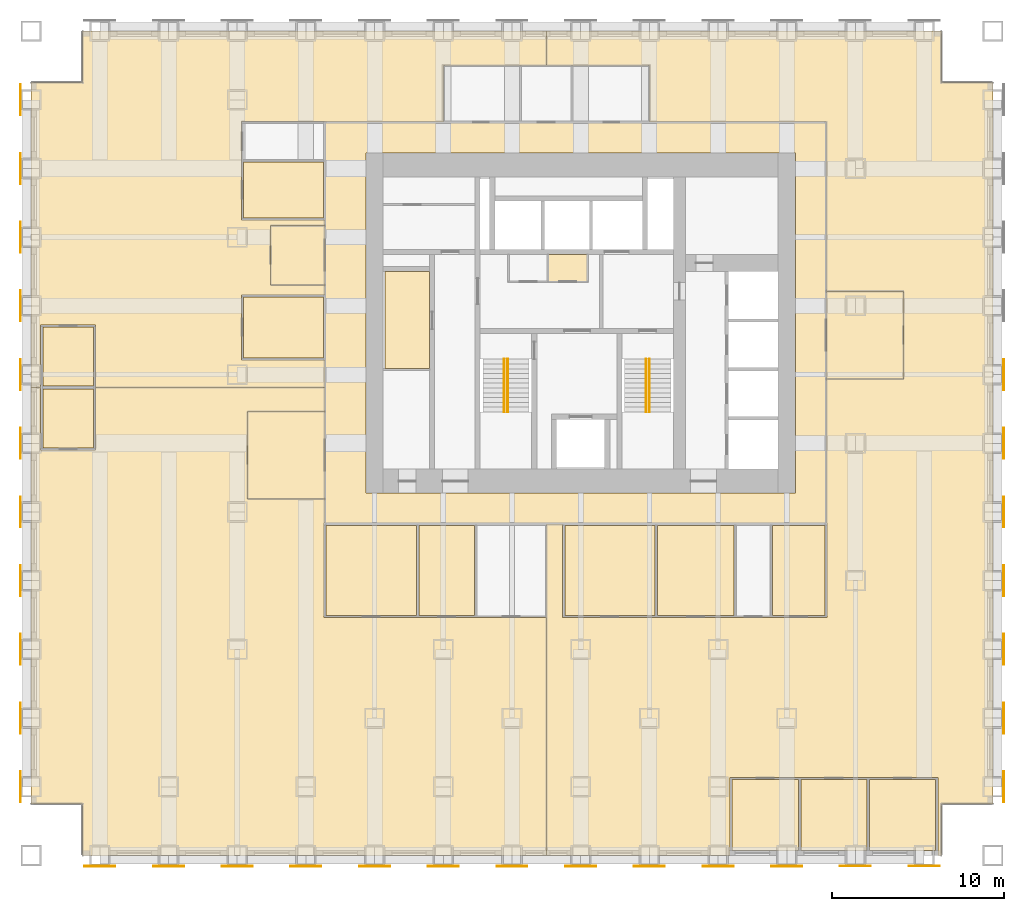
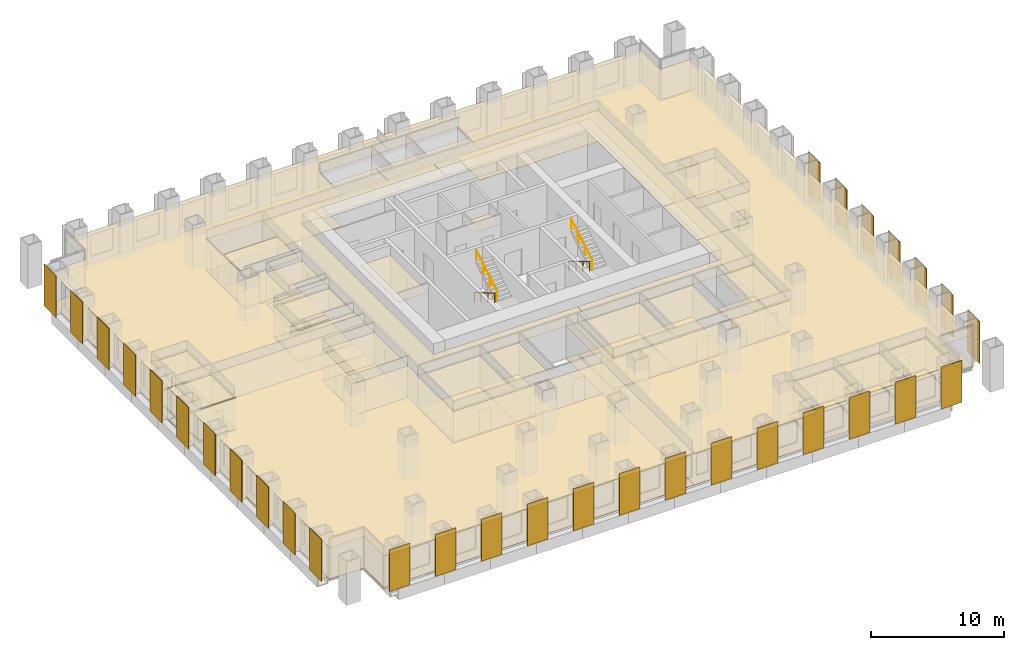
# One storey, part 14 of 15: 40 coverings, 31 shading devices, 4 railings.
"""IFC4 building model written with IfcOpenShell, lengths in metres."""

from ifc_helpers import new_model, si_unit, direction, frame, origin, origin_2d, place, context, subcontext, project, spatial, polyline, rectangle, circle, outline, extrude, material, layer, layer_set, type_object, element, save


model = new_model("IFC4")

# Units and contexts
model_context = context("Model", 3, precision=1e-05, world=origin(), true_north=direction((0.0, 1.0)))
body_context = subcontext(model_context, "Body", "Model", "MODEL_VIEW")
ifc_project = project(units=[si_unit("LENGTHUNIT", "METRE"), si_unit("AREAUNIT", "SQUARE_METRE"), si_unit("VOLUMEUNIT", "CUBIC_METRE"), si_unit("PLANEANGLEUNIT", "RADIAN"), si_unit("MASSUNIT", "GRAM", prefix="KILO")], contexts=[model_context])

# Site, building, storey
site_placement = place(None, origin())
site = spatial("IfcSite", under=ifc_project, at=site_placement, CompositionType="ELEMENT")
building_placement = place(site_placement, origin())
building = spatial("IfcBuilding", under=site, at=building_placement, Name="Rimbunsela Tower", CompositionType="ELEMENT")
storey_placement = place(building_placement, frame((0.0, 0.0, 27.0)))
storey = spatial("IfcBuildingStorey", under=building, at=storey_placement, Name="L06", CompositionType="ELEMENT", Elevation=27.0)

# Coverings
ifc_material_1 = material(Name="Nylon carpet tile", Category="textile")
ifc_layer_1 = layer(ifc_material_1, 0.010009765625)
ifc_layer_set_1 = layer_set([ifc_layer_1], Name="Carpet tile 10")
covering_type_1 = type_object("IfcCoveringType", Name="Carpet tile 10", PredefinedType="FLOORING", material=ifc_layer_set_1)
covering_1_placement = place(storey_placement, origin())
element("IfcCovering", 1, at=covering_1_placement, inside=storey, type_object=covering_type_1, Name="Floor finish Open office", PredefinedType="FLOORING", context=body_context, shape_type="SweptSolid", body=[
    extrude(outline(polyline([(20.550048828125, 9.85009765625), (23.85009765625, 9.85009765625), (23.949951171875, 9.85009765625), (27.9990234375, 9.85009765625), (27.9990234375, -4.0), (15.10009765625, -4.0), (1.0, -4.0), (1.0, -1.0), (-2.0, -1.0), (-2.0, 23.2490234375), (-1.449951171875, 23.2490234375), (-1.449951171875, 19.60009765625), (1.75, 19.60009765625), (1.75, 23.2490234375), (15.10009765625, 23.2490234375), (15.10009765625, 21.85009765625), (10.60009765625, 21.85009765625), (10.60009765625, 16.75), (15.10009765625, 16.75), (15.10009765625, 15.35009765625), (15.050048828125, 15.35009765625), (15.050048828125, 9.85009765625), (15.10009765625, 9.85009765625), (20.449951171875, 9.85009765625), (20.550048828125, 9.85009765625)])), origin(), (0.0, 0.0, 1.0), 0.010009765625),
])
covering_2_placement = place(storey_placement, origin())
element("IfcCovering", 2, at=covering_2_placement, inside=storey, type_object=covering_type_1, Name="Floor finish Open office", PredefinedType="FLOORING", context=body_context, shape_type="SweptSolid", body=[
    extrude(outline(polyline([(10.25, 36.5), (10.25, 36.39990234375), (10.25, 33.0), (15.10009765625, 33.0), (15.10009765625, 32.675048828125), (11.949951171875, 32.675048828125), (11.949951171875, 29.22509765625), (15.10009765625, 29.22509765625), (15.10009765625, 28.64990234375), (10.25, 28.64990234375), (10.25, 24.85009765625), (15.10009765625, 24.85009765625), (15.10009765625, 23.2509765625), (1.75, 23.2509765625), (1.75, 26.89990234375), (-1.449951171875, 26.89990234375), (-1.449951171875, 23.2509765625), (-2.0, 23.2509765625), (-2.0, 41.0), (1.0, 41.0), (1.0, 44.0), (15.10009765625, 44.0), (27.9990234375, 44.0), (27.9990234375, 42.0), (22.0, 42.0), (22.0, 38.699951171875), (15.14990234375, 38.699951171875), (15.14990234375, 38.75), (15.10009765625, 38.75), (10.25, 38.75), (10.25, 36.5)])), origin(), (0.0, 0.0, 1.0), 0.010009765625),
])
covering_3_placement = place(storey_placement, origin())
element("IfcCovering", 3, at=covering_3_placement, inside=storey, type_object=covering_type_1, Name="Floor finish Open office", PredefinedType="FLOORING", context=body_context, shape_type="SweptSolid", body=[
    extrude(outline(polyline([(42.699951171875, 0.550048828125), (38.699951171875, 0.550048828125), (38.699951171875, -4.0), (28.0009765625, -4.0), (28.0009765625, 15.300048828125), (28.948974609375, 15.300048828125), (28.948974609375, 9.85009765625), (34.34912109375, 9.85009765625), (34.448974609375, 9.85009765625), (38.948974609375, 9.85009765625), (39.049072265625, 9.85009765625), (41.049072265625, 9.85009765625), (41.14892578125, 9.85009765625), (44.300048828125, 9.85009765625), (44.35009765625, 9.85009765625), (44.35009765625, 15.35009765625), (44.300048828125, 15.35009765625), (44.300048828125, 23.75), (48.800048828125, 23.75), (48.800048828125, 28.85009765625), (44.300048828125, 28.85009765625), (44.300048828125, 38.699951171875), (34.0, 38.699951171875), (34.0, 42.0), (28.0009765625, 42.0), (28.0009765625, 44.0), (44.300048828125, 44.0), (51.0, 44.0), (51.0, 41.0), (54.0, 41.0), (54.0, -1.0), (51.0, -1.0), (51.0, -4.0), (50.800048828125, -4.0), (50.800048828125, 0.550048828125), (46.800048828125, 0.550048828125), (46.699951171875, 0.550048828125), (44.300048828125, 0.550048828125), (42.800048828125, 0.550048828125), (42.699951171875, 0.550048828125)])), origin(), (0.0, 0.0, 1.0), 0.010009765625),
])
covering_4_placement = place(storey_placement, origin())
element("IfcCovering", 4, at=covering_4_placement, inside=storey, type_object=covering_type_1, Name="Floor finish Reception", PredefinedType="FLOORING", context=body_context, shape_type="SweptSolid", body=[
    extrude(outline(polyline([(15.10009765625, 16.75), (15.10009765625, 21.85009765625), (10.60009765625, 21.85009765625), (10.60009765625, 16.75), (15.10009765625, 16.75)])), origin(), (0.0, 0.0, 1.0), 0.010009765625),
])
covering_5_placement = place(storey_placement, origin())
element("IfcCovering", 5, at=covering_5_placement, inside=storey, type_object=covering_type_1, Name="Floor finish Reception", PredefinedType="FLOORING", context=body_context, shape_type="SweptSolid", body=[
    extrude(outline(polyline([(15.10009765625, 29.22509765625), (15.10009765625, 32.675048828125), (11.949951171875, 32.675048828125), (11.949951171875, 29.22509765625), (15.10009765625, 29.22509765625)])), origin(), (0.0, 0.0, 1.0), 0.010009765625),
])
covering_6_placement = place(storey_placement, origin())
element("IfcCovering", 6, at=covering_6_placement, inside=storey, type_object=covering_type_1, Name="Floor finish Reception", PredefinedType="FLOORING", context=body_context, shape_type="SweptSolid", body=[
    extrude(outline(polyline([(48.800048828125, 23.75), (48.800048828125, 28.85009765625), (44.300048828125, 28.85009765625), (44.300048828125, 23.75), (48.800048828125, 23.75)])), origin(), (0.0, 0.0, 1.0), 0.010009765625),
])
covering_7_placement = place(storey_placement, origin())
element("IfcCovering", 7, at=covering_7_placement, inside=storey, type_object=covering_type_1, Name="Floor finish Executive office", PredefinedType="FLOORING", context=body_context, shape_type="SweptSolid", body=[
    extrude(outline(polyline([(42.675048828125, -3.699951171875), (42.675048828125, 0.425048828125), (38.824951171875, 0.425048828125), (38.824951171875, -3.699951171875), (42.675048828125, -3.699951171875)])), origin(), (0.0, 0.0, 1.0), 0.010009765625),
])
covering_8_placement = place(storey_placement, origin())
element("IfcCovering", 8, at=covering_8_placement, inside=storey, type_object=covering_type_1, Name="Floor finish Executive office", PredefinedType="FLOORING", context=body_context, shape_type="SweptSolid", body=[
    extrude(outline(polyline([(46.675048828125, -3.699951171875), (46.675048828125, 0.425048828125), (42.824951171875, 0.425048828125), (42.824951171875, -3.699951171875), (46.675048828125, -3.699951171875)])), origin(), (0.0, 0.0, 1.0), 0.010009765625),
])
covering_9_placement = place(storey_placement, origin())
element("IfcCovering", 9, at=covering_9_placement, inside=storey, type_object=covering_type_1, Name="Floor finish Executive office", PredefinedType="FLOORING", context=body_context, shape_type="SweptSolid", body=[
    extrude(outline(polyline([(50.675048828125, -3.699951171875), (50.675048828125, 0.425048828125), (46.824951171875, 0.425048828125), (46.824951171875, -3.699951171875), (50.675048828125, -3.699951171875)])), origin(), (0.0, 0.0, 1.0), 0.010009765625),
])
covering_10_placement = place(storey_placement, origin())
element("IfcCovering", 10, at=covering_10_placement, inside=storey, type_object=covering_type_1, Name="Floor finish Meeting room", PredefinedType="FLOORING", context=body_context, shape_type="SweptSolid", body=[
    extrude(outline(polyline([(20.425048828125, 9.97509765625), (20.425048828125, 15.22509765625), (15.175048828125, 15.22509765625), (15.175048828125, 9.97509765625), (20.425048828125, 9.97509765625)])), origin(), (0.0, 0.0, 1.0), 0.010009765625),
])
covering_11_placement = place(storey_placement, origin())
element("IfcCovering", 11, at=covering_11_placement, inside=storey, type_object=covering_type_1, Name="Floor finish Pantry", PredefinedType="FLOORING", context=body_context, shape_type="SweptSolid", body=[
    extrude(outline(polyline([(23.824951171875, 9.97509765625), (23.824951171875, 15.22509765625), (20.574951171875, 15.22509765625), (20.574951171875, 9.97509765625), (23.824951171875, 9.97509765625)])), origin(), (0.0, 0.0, 1.0), 0.010009765625),
])
covering_12_placement = place(storey_placement, origin())
element("IfcCovering", 12, at=covering_12_placement, inside=storey, type_object=covering_type_1, Name="Floor finish Pantry", PredefinedType="FLOORING", context=body_context, shape_type="SweptSolid", body=[
    extrude(outline(polyline([(15.02490234375, 33.125), (15.02490234375, 36.375), (10.375, 36.375), (10.375, 33.125), (15.02490234375, 33.125)])), origin(), (0.0, 0.0, 1.0), 0.010009765625),
])
covering_13_placement = place(storey_placement, origin())
element("IfcCovering", 13, at=covering_13_placement, inside=storey, type_object=covering_type_1, Name="Floor finish Meeting room", PredefinedType="FLOORING", context=body_context, shape_type="SweptSolid", body=[
    extrude(outline(polyline([(34.323974609375, 9.97509765625), (34.323974609375, 15.22509765625), (29.073974609375, 15.22509765625), (29.073974609375, 9.97509765625), (34.323974609375, 9.97509765625)])), origin(), (0.0, 0.0, 1.0), 0.010009765625),
])
covering_14_placement = place(storey_placement, origin())
element("IfcCovering", 14, at=covering_14_placement, inside=storey, type_object=covering_type_1, Name="Floor finish Pantry", PredefinedType="FLOORING", context=body_context, shape_type="SweptSolid", body=[
    extrude(outline(polyline([(38.924072265625, 9.97509765625), (38.924072265625, 15.22509765625), (34.47412109375, 15.22509765625), (34.47412109375, 9.97509765625), (38.924072265625, 9.97509765625)])), origin(), (0.0, 0.0, 1.0), 0.010009765625),
])
covering_15_placement = place(storey_placement, origin())
element("IfcCovering", 15, at=covering_15_placement, inside=storey, type_object=covering_type_1, Name="Floor finish Office", PredefinedType="FLOORING", context=body_context, shape_type="SweptSolid", body=[
    extrude(outline(polyline([(44.22509765625, 9.97509765625), (44.22509765625, 15.22509765625), (41.174072265625, 15.22509765625), (41.174072265625, 9.97509765625), (44.22509765625, 9.97509765625)])), origin(), (0.0, 0.0, 1.0), 0.010009765625),
])
covering_16_placement = place(storey_placement, origin())
element("IfcCovering", 16, at=covering_16_placement, inside=storey, type_object=covering_type_1, Name="Floor finish Office", PredefinedType="FLOORING", context=body_context, shape_type="SweptSolid", body=[
    extrude(outline(polyline([(1.625, 19.72509765625), (1.625, 23.175048828125), (-1.324951171875, 23.175048828125), (-1.324951171875, 19.72509765625), (1.625, 19.72509765625)])), origin(), (0.0, 0.0, 1.0), 0.010009765625),
])
covering_17_placement = place(storey_placement, origin())
element("IfcCovering", 17, at=covering_17_placement, inside=storey, type_object=covering_type_1, Name="Floor finish Meeting room", PredefinedType="FLOORING", context=body_context, shape_type="SweptSolid", body=[
    extrude(outline(polyline([(15.02490234375, 24.97509765625), (15.02490234375, 28.52490234375), (10.375, 28.52490234375), (10.375, 24.97509765625), (15.02490234375, 24.97509765625)])), origin(), (0.0, 0.0, 1.0), 0.010009765625),
])
covering_18_placement = place(storey_placement, origin())
element("IfcCovering", 18, at=covering_18_placement, inside=storey, type_object=covering_type_1, Name="Floor finish Office", PredefinedType="FLOORING", context=body_context, shape_type="SweptSolid", body=[
    extrude(outline(polyline([(1.625, 23.324951171875), (1.625, 26.77490234375), (-1.324951171875, 26.77490234375), (-1.324951171875, 23.324951171875), (1.625, 23.324951171875)])), origin(), (0.0, 0.0, 1.0), 0.010009765625),
])
ifc_material_2 = material(Name="Mineral fibre ceiling tile", Category="gypsum")
ifc_layer_2 = layer(ifc_material_2, 0.02001953125)
ifc_layer_set_2 = layer_set([ifc_layer_2], Name="Ceiling 600 grid")
covering_type_2 = type_object("IfcCoveringType", Name="Ceiling 600 grid", PredefinedType="CEILING", material=ifc_layer_set_2)
covering_19_placement = place(storey_placement, frame((0.0, 0.0, 2.89990234375)))
element("IfcCovering", 19, at=covering_19_placement, inside=storey, type_object=covering_type_2, Name="Ceiling IT room", PredefinedType="CEILING", context=body_context, shape_type="SweptSolid", body=[
    extrude(outline(polyline([(30.39990234375, 29.39990234375), (30.39990234375, 31.0), (28.10009765625, 31.0), (28.10009765625, 29.39990234375), (30.39990234375, 29.39990234375)])), origin(), (0.0, 0.0, 1.0), 0.02001953125),
])
covering_20_placement = place(storey_placement, frame((0.0, 0.0, 2.89990234375)))
element("IfcCovering", 20, at=covering_20_placement, inside=storey, type_object=covering_type_2, Name="Ceiling IT room", PredefinedType="CEILING", context=body_context, shape_type="SweptSolid", body=[
    extrude(outline(polyline([(21.199951171875, 24.35009765625), (21.199951171875, 30.0), (18.60009765625, 30.0), (18.60009765625, 24.35009765625), (21.199951171875, 24.35009765625)])), origin(), (0.0, 0.0, 1.0), 0.02001953125),
])
covering_21_placement = place(storey_placement, frame((0.0, 0.0, 2.89990234375)))
element("IfcCovering", 21, at=covering_21_placement, inside=storey, type_object=covering_type_2, Name="Ceiling Ring corridor", PredefinedType="CEILING", context=body_context, shape_type="SweptSolid", body=[
    extrude(outline(polyline([(15.10009765625, 38.699951171875), (30.0, 38.699951171875), (30.0, 36.89990234375), (17.5, 36.89990234375), (17.5, 17.10009765625), (30.0, 17.10009765625), (30.0, 15.300048828125), (15.10009765625, 15.300048828125), (15.10009765625, 38.699951171875)])), origin(), (0.0, 0.0, 1.0), 0.02001953125),
])
covering_22_placement = place(storey_placement, frame((0.0, 0.0, 2.89990234375)))
element("IfcCovering", 22, at=covering_22_placement, inside=storey, type_object=covering_type_2, Name="Ceiling Ring corridor", PredefinedType="CEILING", context=body_context, shape_type="SweptSolid", body=[
    extrude(outline(polyline([(44.300048828125, 38.699951171875), (44.300048828125, 15.300048828125), (30.0, 15.300048828125), (30.0, 17.10009765625), (42.5, 17.10009765625), (42.5, 36.89990234375), (30.0, 36.89990234375), (30.0, 38.699951171875), (44.300048828125, 38.699951171875)])), origin(), (0.0, 0.0, 1.0), 0.02001953125),
])
covering_23_placement = place(storey_placement, frame((0.0, 0.0, 2.89990234375)))
element("IfcCovering", 23, at=covering_23_placement, inside=storey, type_object=covering_type_2, Name="Ceiling Open office", PredefinedType="CEILING", context=body_context, shape_type="SweptSolid", body=[
    extrude(outline(polyline([(20.550048828125, 9.85009765625), (23.85009765625, 9.85009765625), (23.949951171875, 9.85009765625), (27.9990234375, 9.85009765625), (27.9990234375, -4.0), (15.10009765625, -4.0), (1.0, -4.0), (1.0, -1.0), (-2.0, -1.0), (-2.0, 23.2490234375), (-1.449951171875, 23.2490234375), (-1.449951171875, 19.60009765625), (1.75, 19.60009765625), (1.75, 23.2490234375), (15.10009765625, 23.2490234375), (15.10009765625, 21.85009765625), (10.60009765625, 21.85009765625), (10.60009765625, 16.75), (15.10009765625, 16.75), (15.10009765625, 15.35009765625), (15.050048828125, 15.35009765625), (15.050048828125, 9.85009765625), (15.10009765625, 9.85009765625), (20.449951171875, 9.85009765625), (20.550048828125, 9.85009765625)])), origin(), (0.0, 0.0, 1.0), 0.02001953125),
])
covering_24_placement = place(storey_placement, frame((0.0, 0.0, 2.89990234375)))
element("IfcCovering", 24, at=covering_24_placement, inside=storey, type_object=covering_type_2, Name="Ceiling Open office", PredefinedType="CEILING", context=body_context, shape_type="SweptSolid", body=[
    extrude(outline(polyline([(10.25, 36.5), (10.25, 36.39990234375), (10.25, 33.0), (15.10009765625, 33.0), (15.10009765625, 32.675048828125), (11.949951171875, 32.675048828125), (11.949951171875, 29.22509765625), (15.10009765625, 29.22509765625), (15.10009765625, 28.64990234375), (10.25, 28.64990234375), (10.25, 24.85009765625), (15.10009765625, 24.85009765625), (15.10009765625, 23.2509765625), (1.75, 23.2509765625), (1.75, 26.89990234375), (-1.449951171875, 26.89990234375), (-1.449951171875, 23.2509765625), (-2.0, 23.2509765625), (-2.0, 41.0), (1.0, 41.0), (1.0, 44.0), (15.10009765625, 44.0), (27.9990234375, 44.0), (27.9990234375, 42.0), (22.0, 42.0), (22.0, 38.699951171875), (15.14990234375, 38.699951171875), (15.14990234375, 38.75), (15.10009765625, 38.75), (10.25, 38.75), (10.25, 36.5)])), origin(), (0.0, 0.0, 1.0), 0.02001953125),
])
covering_25_placement = place(storey_placement, frame((0.0, 0.0, 2.89990234375)))
element("IfcCovering", 25, at=covering_25_placement, inside=storey, type_object=covering_type_2, Name="Ceiling Open office", PredefinedType="CEILING", context=body_context, shape_type="SweptSolid", body=[
    extrude(outline(polyline([(42.699951171875, 0.550048828125), (38.699951171875, 0.550048828125), (38.699951171875, -4.0), (28.0009765625, -4.0), (28.0009765625, 15.300048828125), (28.948974609375, 15.300048828125), (28.948974609375, 9.85009765625), (34.34912109375, 9.85009765625), (34.448974609375, 9.85009765625), (38.948974609375, 9.85009765625), (39.049072265625, 9.85009765625), (41.049072265625, 9.85009765625), (41.14892578125, 9.85009765625), (44.300048828125, 9.85009765625), (44.35009765625, 9.85009765625), (44.35009765625, 15.35009765625), (44.300048828125, 15.35009765625), (44.300048828125, 23.75), (48.800048828125, 23.75), (48.800048828125, 28.85009765625), (44.300048828125, 28.85009765625), (44.300048828125, 38.699951171875), (34.0, 38.699951171875), (34.0, 42.0), (28.0009765625, 42.0), (28.0009765625, 44.0), (44.300048828125, 44.0), (51.0, 44.0), (51.0, 41.0), (54.0, 41.0), (54.0, -1.0), (51.0, -1.0), (51.0, -4.0), (50.800048828125, -4.0), (50.800048828125, 0.550048828125), (46.800048828125, 0.550048828125), (46.699951171875, 0.550048828125), (44.300048828125, 0.550048828125), (42.800048828125, 0.550048828125), (42.699951171875, 0.550048828125)])), origin(), (0.0, 0.0, 1.0), 0.02001953125),
])
covering_26_placement = place(storey_placement, frame((0.0, 0.0, 2.89990234375)))
element("IfcCovering", 26, at=covering_26_placement, inside=storey, type_object=covering_type_2, Name="Ceiling Reception", PredefinedType="CEILING", context=body_context, shape_type="SweptSolid", body=[
    extrude(outline(polyline([(15.10009765625, 16.75), (15.10009765625, 21.85009765625), (10.60009765625, 21.85009765625), (10.60009765625, 16.75), (15.10009765625, 16.75)])), origin(), (0.0, 0.0, 1.0), 0.02001953125),
])
covering_27_placement = place(storey_placement, frame((0.0, 0.0, 2.89990234375)))
element("IfcCovering", 27, at=covering_27_placement, inside=storey, type_object=covering_type_2, Name="Ceiling Reception", PredefinedType="CEILING", context=body_context, shape_type="SweptSolid", body=[
    extrude(outline(polyline([(15.10009765625, 29.22509765625), (15.10009765625, 32.675048828125), (11.949951171875, 32.675048828125), (11.949951171875, 29.22509765625), (15.10009765625, 29.22509765625)])), origin(), (0.0, 0.0, 1.0), 0.02001953125),
])
covering_28_placement = place(storey_placement, frame((0.0, 0.0, 2.89990234375)))
element("IfcCovering", 28, at=covering_28_placement, inside=storey, type_object=covering_type_2, Name="Ceiling Reception", PredefinedType="CEILING", context=body_context, shape_type="SweptSolid", body=[
    extrude(outline(polyline([(48.800048828125, 23.75), (48.800048828125, 28.85009765625), (44.300048828125, 28.85009765625), (44.300048828125, 23.75), (48.800048828125, 23.75)])), origin(), (0.0, 0.0, 1.0), 0.02001953125),
])
covering_29_placement = place(storey_placement, frame((0.0, 0.0, 2.89990234375)))
element("IfcCovering", 29, at=covering_29_placement, inside=storey, type_object=covering_type_2, Name="Ceiling Executive office", PredefinedType="CEILING", context=body_context, shape_type="SweptSolid", body=[
    extrude(outline(polyline([(42.675048828125, -3.699951171875), (42.675048828125, 0.425048828125), (38.824951171875, 0.425048828125), (38.824951171875, -3.699951171875), (42.675048828125, -3.699951171875)])), origin(), (0.0, 0.0, 1.0), 0.02001953125),
])
covering_30_placement = place(storey_placement, frame((0.0, 0.0, 2.89990234375)))
element("IfcCovering", 30, at=covering_30_placement, inside=storey, type_object=covering_type_2, Name="Ceiling Executive office", PredefinedType="CEILING", context=body_context, shape_type="SweptSolid", body=[
    extrude(outline(polyline([(46.675048828125, -3.699951171875), (46.675048828125, 0.425048828125), (42.824951171875, 0.425048828125), (42.824951171875, -3.699951171875), (46.675048828125, -3.699951171875)])), origin(), (0.0, 0.0, 1.0), 0.02001953125),
])
covering_31_placement = place(storey_placement, frame((0.0, 0.0, 2.89990234375)))
element("IfcCovering", 31, at=covering_31_placement, inside=storey, type_object=covering_type_2, Name="Ceiling Executive office", PredefinedType="CEILING", context=body_context, shape_type="SweptSolid", body=[
    extrude(outline(polyline([(50.675048828125, -3.699951171875), (50.675048828125, 0.425048828125), (46.824951171875, 0.425048828125), (46.824951171875, -3.699951171875), (50.675048828125, -3.699951171875)])), origin(), (0.0, 0.0, 1.0), 0.02001953125),
])
covering_32_placement = place(storey_placement, frame((0.0, 0.0, 2.89990234375)))
element("IfcCovering", 32, at=covering_32_placement, inside=storey, type_object=covering_type_2, Name="Ceiling Meeting room", PredefinedType="CEILING", context=body_context, shape_type="SweptSolid", body=[
    extrude(outline(polyline([(20.425048828125, 9.97509765625), (20.425048828125, 15.22509765625), (15.175048828125, 15.22509765625), (15.175048828125, 9.97509765625), (20.425048828125, 9.97509765625)])), origin(), (0.0, 0.0, 1.0), 0.02001953125),
])
covering_33_placement = place(storey_placement, frame((0.0, 0.0, 2.89990234375)))
element("IfcCovering", 33, at=covering_33_placement, inside=storey, type_object=covering_type_2, Name="Ceiling Pantry", PredefinedType="CEILING", context=body_context, shape_type="SweptSolid", body=[
    extrude(outline(polyline([(23.824951171875, 9.97509765625), (23.824951171875, 15.22509765625), (20.574951171875, 15.22509765625), (20.574951171875, 9.97509765625), (23.824951171875, 9.97509765625)])), origin(), (0.0, 0.0, 1.0), 0.02001953125),
])
covering_34_placement = place(storey_placement, frame((0.0, 0.0, 2.89990234375)))
element("IfcCovering", 34, at=covering_34_placement, inside=storey, type_object=covering_type_2, Name="Ceiling Pantry", PredefinedType="CEILING", context=body_context, shape_type="SweptSolid", body=[
    extrude(outline(polyline([(15.02490234375, 33.125), (15.02490234375, 36.375), (10.375, 36.375), (10.375, 33.125), (15.02490234375, 33.125)])), origin(), (0.0, 0.0, 1.0), 0.02001953125),
])
covering_35_placement = place(storey_placement, frame((0.0, 0.0, 2.89990234375)))
element("IfcCovering", 35, at=covering_35_placement, inside=storey, type_object=covering_type_2, Name="Ceiling Meeting room", PredefinedType="CEILING", context=body_context, shape_type="SweptSolid", body=[
    extrude(outline(polyline([(34.323974609375, 9.97509765625), (34.323974609375, 15.22509765625), (29.073974609375, 15.22509765625), (29.073974609375, 9.97509765625), (34.323974609375, 9.97509765625)])), origin(), (0.0, 0.0, 1.0), 0.02001953125),
])
covering_36_placement = place(storey_placement, frame((0.0, 0.0, 2.89990234375)))
element("IfcCovering", 36, at=covering_36_placement, inside=storey, type_object=covering_type_2, Name="Ceiling Pantry", PredefinedType="CEILING", context=body_context, shape_type="SweptSolid", body=[
    extrude(outline(polyline([(38.924072265625, 9.97509765625), (38.924072265625, 15.22509765625), (34.47412109375, 15.22509765625), (34.47412109375, 9.97509765625), (38.924072265625, 9.97509765625)])), origin(), (0.0, 0.0, 1.0), 0.02001953125),
])
covering_37_placement = place(storey_placement, frame((0.0, 0.0, 2.89990234375)))
element("IfcCovering", 37, at=covering_37_placement, inside=storey, type_object=covering_type_2, Name="Ceiling Office", PredefinedType="CEILING", context=body_context, shape_type="SweptSolid", body=[
    extrude(outline(polyline([(44.22509765625, 9.97509765625), (44.22509765625, 15.22509765625), (41.174072265625, 15.22509765625), (41.174072265625, 9.97509765625), (44.22509765625, 9.97509765625)])), origin(), (0.0, 0.0, 1.0), 0.02001953125),
])
covering_38_placement = place(storey_placement, frame((0.0, 0.0, 2.89990234375)))
element("IfcCovering", 38, at=covering_38_placement, inside=storey, type_object=covering_type_2, Name="Ceiling Office", PredefinedType="CEILING", context=body_context, shape_type="SweptSolid", body=[
    extrude(outline(polyline([(1.625, 19.72509765625), (1.625, 23.175048828125), (-1.324951171875, 23.175048828125), (-1.324951171875, 19.72509765625), (1.625, 19.72509765625)])), origin(), (0.0, 0.0, 1.0), 0.02001953125),
])
covering_39_placement = place(storey_placement, frame((0.0, 0.0, 2.89990234375)))
element("IfcCovering", 39, at=covering_39_placement, inside=storey, type_object=covering_type_2, Name="Ceiling Meeting room", PredefinedType="CEILING", context=body_context, shape_type="SweptSolid", body=[
    extrude(outline(polyline([(15.02490234375, 24.97509765625), (15.02490234375, 28.52490234375), (10.375, 28.52490234375), (10.375, 24.97509765625), (15.02490234375, 24.97509765625)])), origin(), (0.0, 0.0, 1.0), 0.02001953125),
])
covering_40_placement = place(storey_placement, frame((0.0, 0.0, 2.89990234375)))
element("IfcCovering", 40, at=covering_40_placement, inside=storey, type_object=covering_type_2, Name="Ceiling Office", PredefinedType="CEILING", context=body_context, shape_type="SweptSolid", body=[
    extrude(outline(polyline([(1.625, 23.324951171875), (1.625, 26.77490234375), (-1.324951171875, 26.77490234375), (-1.324951171875, 23.324951171875), (1.625, 23.324951171875)])), origin(), (0.0, 0.0, 1.0), 0.02001953125),
])

# Shading devices
ifc_material_3 = material(Name="Perforated aluminium, 35 % open area", Category="aluminium")
ifc_layer_3 = layer(ifc_material_3, 0.050048828125)
ifc_layer_set_3 = layer_set([ifc_layer_3], Name="Solar screen panel 1800")
shading_device_type = type_object("IfcShadingDeviceType", Name="Solar screen panel 1800", PredefinedType="USERDEFINED", material=ifc_layer_set_3)
for number, where, z_axis, x_axis, name in (
    (41, (2.0, -4.625, 0.0), (0.0, 0.0, 1.0), (1.0, 0.0, 0.0), "Solar screen S L06"),
    (42, (6.0, -4.625, 0.0), (0.0, 0.0, 1.0), (1.0, 0.0, 0.0), "Solar screen S L06"),
    (43, (10.0, -4.625, 0.0), (0.0, 0.0, 1.0), (1.0, 0.0, 0.0), "Solar screen S L06"),
    (44, (14.0, -4.625, 0.0), (0.0, 0.0, 1.0), (1.0, 0.0, 0.0), "Solar screen S L06"),
    (45, (18.0, -4.625, 0.0), (0.0, 0.0, 1.0), (1.0, 0.0, 0.0), "Solar screen S L06"),
    (46, (22.0, -4.625, 0.0), (0.0, 0.0, 1.0), (1.0, 0.0, 0.0), "Solar screen S L06"),
    (47, (26.0, -4.625, 0.0), (0.0, 0.0, 1.0), (1.0, 0.0, 0.0), "Solar screen S L06"),
    (48, (30.0, -4.625, 0.0), (0.0, 0.0, 1.0), (1.0, 0.0, 0.0), "Solar screen S L06"),
    (49, (34.0, -4.625, 0.0), (0.0, 0.0, 1.0), (1.0, 0.0, 0.0), "Solar screen S L06"),
    (50, (38.0, -4.625, 0.0), (0.0, 0.0, 1.0), (1.0, 0.0, 0.0), "Solar screen S L06"),
    (51, (42.0, -4.625, 0.0), (0.0, 0.0, 1.0), (1.0, 0.0, 0.0), "Solar screen S L06"),
    (52, (46.0, -4.625, 0.0), (0.0, 0.0, 1.0), (1.0, 0.0, 0.0), "Solar screen S L06"),
    (53, (50.0, -4.625, 0.0), (0.0, 0.0, 1.0), (1.0, 0.0, 0.0), "Solar screen S L06"),
    (54, (54.625, 0.0, 0.0), (0.0, 0.0, 1.0), (0.0, 1.0, 0.0), "Solar screen E L06"),
    (55, (54.625, 4.0, 0.0), (0.0, 0.0, 1.0), (0.0, 1.0, 0.0), "Solar screen E L06"),
    (56, (54.625, 8.0, 0.0), (0.0, 0.0, 1.0), (0.0, 1.0, 0.0), "Solar screen E L06"),
    (57, (54.625, 12.0, 0.0), (0.0, 0.0, 1.0), (0.0, 1.0, 0.0), "Solar screen E L06"),
    (58, (54.625, 16.0, 0.0), (0.0, 0.0, 1.0), (0.0, 1.0, 0.0), "Solar screen E L06"),
    (59, (54.625, 20.0, 0.0), (0.0, 0.0, 1.0), (0.0, 1.0, 0.0), "Solar screen E L06"),
    (60, (54.625, 24.0, 0.0), (0.0, 0.0, 1.0), (0.0, 1.0, 0.0), "Solar screen E L06"),
    (61, (-2.625, 0.0, 0.0), (0.0, 0.0, 1.0), (0.0, 1.0, 0.0), "Solar screen W L06"),
    (62, (-2.625, 4.0, 0.0), (0.0, 0.0, 1.0), (0.0, 1.0, 0.0), "Solar screen W L06"),
    (63, (-2.625, 8.0, 0.0), (0.0, 0.0, 1.0), (0.0, 1.0, 0.0), "Solar screen W L06"),
    (64, (-2.625, 12.0, 0.0), (0.0, 0.0, 1.0), (0.0, 1.0, 0.0), "Solar screen W L06"),
    (65, (-2.625, 16.0, 0.0), (0.0, 0.0, 1.0), (0.0, 1.0, 0.0), "Solar screen W L06"),
    (66, (-2.625, 20.0, 0.0), (0.0, 0.0, 1.0), (0.0, 1.0, 0.0), "Solar screen W L06"),
    (67, (-2.625, 24.0, 0.0), (0.0, 0.0, 1.0), (0.0, 1.0, 0.0), "Solar screen W L06"),
    (68, (-2.625, 28.0, 0.0), (0.0, 0.0, 1.0), (0.0, 1.0, 0.0), "Solar screen W L06"),
    (69, (-2.625, 32.0, 0.0), (0.0, 0.0, 1.0), (0.0, 1.0, 0.0), "Solar screen W L06"),
    (70, (-2.625, 36.0, 0.0), (0.0, 0.0, 1.0), (0.0, 1.0, 0.0), "Solar screen W L06"),
    (71, (-2.625, 40.0, 0.0), (0.0, 0.0, 1.0), (0.0, 1.0, 0.0), "Solar screen W L06"),
):
    element("IfcShadingDevice", number, at=place(storey_placement, frame(where, z_axis=z_axis, x_axis=x_axis)), inside=storey, type_object=shading_device_type, Name=name, ObjectType="SCREEN", PredefinedType="USERDEFINED", context=body_context, shape_type="SweptSolid", body=[
        extrude(rectangle(XDim=1.800048828125, YDim=0.050048828125, at=origin_2d()), origin(), (0.0, 0.0, 1.0), 3.85009765625),
    ])

# Railings
ifc_material_4 = material(Name="Stainless steel tube", Category="steel")
railing_type = type_object("IfcRailingType", Name="Stair handrail 900", PredefinedType="HANDRAIL", material=ifc_material_4)
railing_1_placement = place(storey_placement, frame((25.550048828125, 24.89990234375, 0.166748046875)))
element("IfcRailing", 72, at=railing_1_placement, inside=storey, type_object=railing_type, Name="Handrail ST-A flight 1", PredefinedType="HANDRAIL", context=body_context, shape_type="SweptSolid", body=[
    extrude(circle(Radius=0.02392578125, at=origin_2d()), frame((0.0, 0.0, 0.8759765625), z_axis=(0.0, -0.859290745958, 0.51148745235), x_axis=(1.0, 0.0, 0.0)), (0.0, 0.0, 1.0), 3.584228515625),
    extrude(circle(Radius=0.02099609375, at=origin_2d()), origin(), (0.0, 0.0, 1.0), 0.851806640625),
    extrude(circle(Radius=0.02099609375, at=origin_2d()), frame((0.0, -1.026611328125, 0.611083984375)), (0.0, 0.0, 1.0), 0.851806640625),
    extrude(circle(Radius=0.02099609375, at=origin_2d()), frame((0.0, -2.05322265625, 1.22216796875)), (0.0, 0.0, 1.0), 0.851806640625),
    extrude(circle(Radius=0.02099609375, at=origin_2d()), frame((0.0, -3.079833984375, 1.833251953125)), (0.0, 0.0, 1.0), 0.851806640625),
])
railing_2_placement = place(storey_placement, frame((25.75, 21.820068359375, 2.166748046875)))
element("IfcRailing", 73, at=railing_2_placement, inside=storey, type_object=railing_type, Name="Handrail ST-A flight 2", PredefinedType="HANDRAIL", context=body_context, shape_type="SweptSolid", body=[
    extrude(circle(Radius=0.02392578125, at=origin_2d()), frame((0.0, 0.0, 0.8759765625), z_axis=(0.0, 0.859290745958, 0.51148745235), x_axis=(-1.0, 0.0, 0.0)), (0.0, 0.0, 1.0), 3.584228515625),
    extrude(circle(Radius=0.02099609375, at=origin_2d()), origin(), (0.0, 0.0, 1.0), 0.851806640625),
    extrude(circle(Radius=0.02099609375, at=origin_2d()), frame((0.0, 1.026611328125, 0.611083984375)), (0.0, 0.0, 1.0), 0.851806640625),
    extrude(circle(Radius=0.02099609375, at=origin_2d()), frame((0.0, 2.05322265625, 1.22216796875)), (0.0, 0.0, 1.0), 0.851806640625),
    extrude(circle(Radius=0.02099609375, at=origin_2d()), frame((0.0, 3.079833984375, 1.833251953125)), (0.0, 0.0, 1.0), 0.851806640625),
])
railing_3_placement = place(storey_placement, frame((33.800048828125, 24.89990234375, 0.166748046875)))
element("IfcRailing", 74, at=railing_3_placement, inside=storey, type_object=railing_type, Name="Handrail ST-B flight 1", PredefinedType="HANDRAIL", context=body_context, shape_type="SweptSolid", body=[
    extrude(circle(Radius=0.02392578125, at=origin_2d()), frame((0.0, 0.0, 0.8759765625), z_axis=(0.0, -0.859290745958, 0.51148745235), x_axis=(1.0, 0.0, 0.0)), (0.0, 0.0, 1.0), 3.584228515625),
    extrude(circle(Radius=0.02099609375, at=origin_2d()), origin(), (0.0, 0.0, 1.0), 0.851806640625),
    extrude(circle(Radius=0.02099609375, at=origin_2d()), frame((0.0, -1.026611328125, 0.611083984375)), (0.0, 0.0, 1.0), 0.851806640625),
    extrude(circle(Radius=0.02099609375, at=origin_2d()), frame((0.0, -2.05322265625, 1.22216796875)), (0.0, 0.0, 1.0), 0.851806640625),
    extrude(circle(Radius=0.02099609375, at=origin_2d()), frame((0.0, -3.079833984375, 1.833251953125)), (0.0, 0.0, 1.0), 0.851806640625),
])
railing_4_placement = place(storey_placement, frame((34.0, 21.820068359375, 2.166748046875)))
element("IfcRailing", 75, at=railing_4_placement, inside=storey, type_object=railing_type, Name="Handrail ST-B flight 2", PredefinedType="HANDRAIL", context=body_context, shape_type="SweptSolid", body=[
    extrude(circle(Radius=0.02392578125, at=origin_2d()), frame((0.0, 0.0, 0.8759765625), z_axis=(0.0, 0.859290745958, 0.51148745235), x_axis=(-1.0, 0.0, 0.0)), (0.0, 0.0, 1.0), 3.584228515625),
    extrude(circle(Radius=0.02099609375, at=origin_2d()), origin(), (0.0, 0.0, 1.0), 0.851806640625),
    extrude(circle(Radius=0.02099609375, at=origin_2d()), frame((0.0, 1.026611328125, 0.611083984375)), (0.0, 0.0, 1.0), 0.851806640625),
    extrude(circle(Radius=0.02099609375, at=origin_2d()), frame((0.0, 2.05322265625, 1.22216796875)), (0.0, 0.0, 1.0), 0.851806640625),
    extrude(circle(Radius=0.02099609375, at=origin_2d()), frame((0.0, 3.079833984375, 1.833251953125)), (0.0, 0.0, 1.0), 0.851806640625),
])

save(model, "model.ifc")
